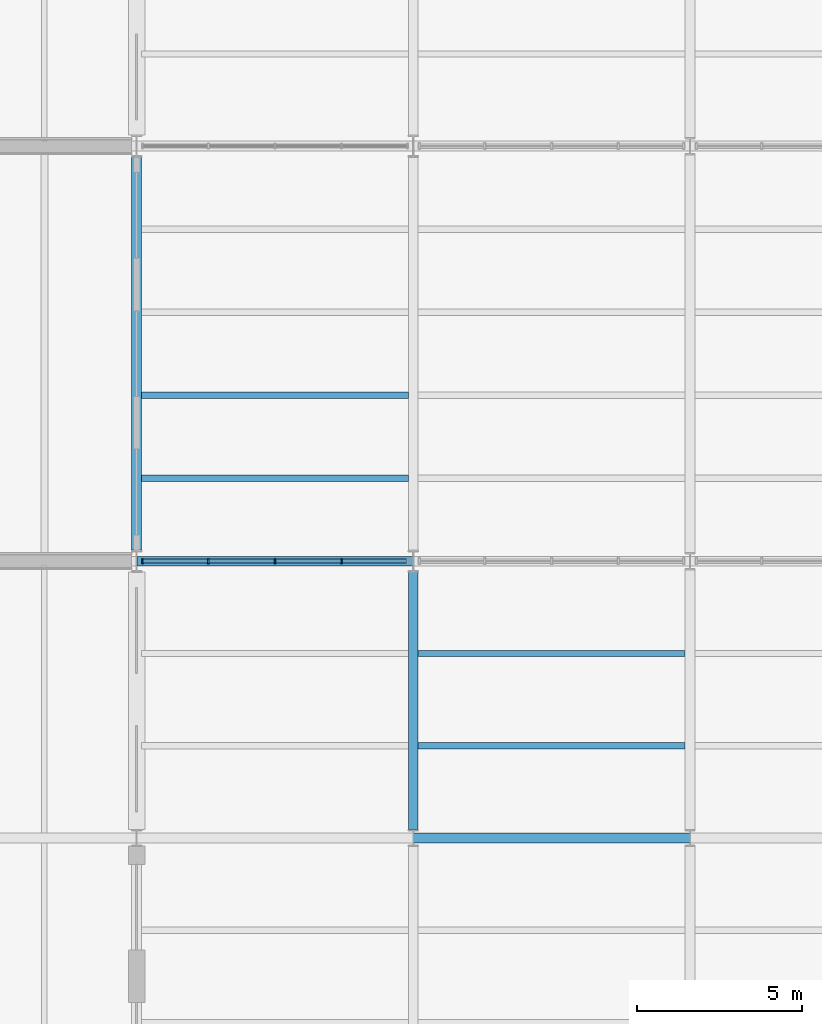
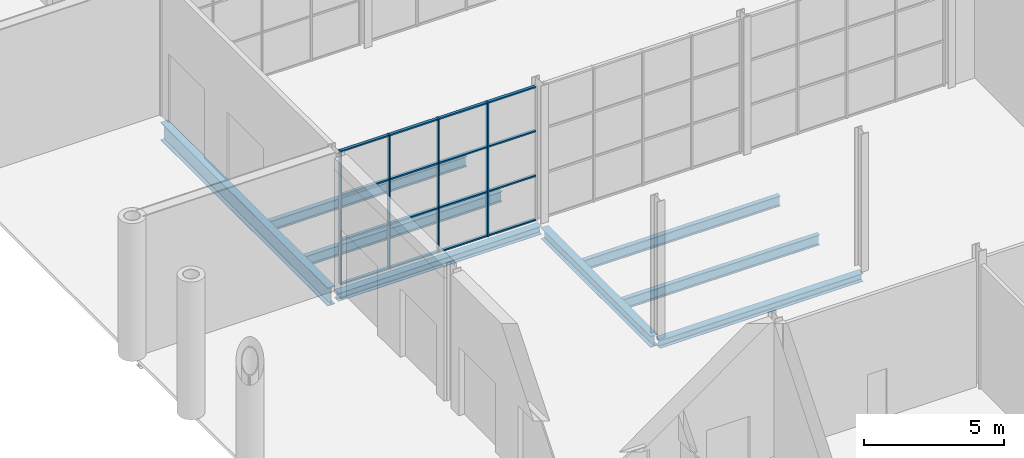
# One storey, part 10 of 55: 20 members, 8 beams, 1 element without a shape of its own.
"""IFC4 building model written with IfcOpenShell, lengths in metres."""

from ifc_helpers import new_model, si_unit, direction, frame, origin, origin_2d, place, context, subcontext, project, spatial, rectangle, i_section, extrude, material, layer, layer_set, material_profile, profile_set, type_object, element, aggregate, save


model = new_model("IFC4")

# Units and contexts
model_context = context("Model", 3, precision=1e-05, world=origin(), true_north=direction((0.0, 1.0)))
body_context = subcontext(model_context, "Body", "Model", "MODEL_VIEW")
ifc_project = project(units=[si_unit("LENGTHUNIT", "METRE"), si_unit("AREAUNIT", "SQUARE_METRE"), si_unit("VOLUMEUNIT", "CUBIC_METRE"), si_unit("PLANEANGLEUNIT", "RADIAN"), si_unit("MASSUNIT", "GRAM", prefix="KILO")], contexts=[model_context])

# Site, building, storey
site_placement = place(None, origin())
site = spatial("IfcSite", under=ifc_project, at=site_placement, CompositionType="ELEMENT")
building_placement = place(site_placement, origin())
building = spatial("IfcBuilding", under=site, at=building_placement, Name="Galleria Vessillo Department Store", CompositionType="ELEMENT")
storey_placement = place(building_placement, origin())
storey = spatial("IfcBuildingStorey", under=building, at=storey_placement, Name="L00", CompositionType="ELEMENT", Elevation=0.0)

# Curtain wall, members
ifc_material_1 = material(Name="Aluminium and glass curtain wall", Category="aluminium")
ifc_layer = layer(ifc_material_1, 0.159912109375)
ifc_layer_set = layer_set([ifc_layer], Name="Aluminium and glass curtain wall")
curtain_wall_type = type_object("IfcCurtainWallType", Name="Arcade portal glazing CW2 2100 module", PredefinedType="NOTDEFINED", material=ifc_layer_set)
curtain_wall_placement = place(storey_placement, origin())
curtain_wall = element("IfcCurtainWall", 1, at=curtain_wall_placement, inside=storey, type_object=curtain_wall_type, Name="Arcade portal glazing CW2 2100 module PW-W-S-L00-01", PredefinedType="NOTDEFINED")
ifc_material_2 = material(Name="Aluminium alloy 6063 T6", Category="aluminium")
ifc_material_profile_1 = material_profile(ifc_material_2, rectangle(XDim=0.159912109375, YDim=0.050048828125, at=origin_2d()), Name="AL 50x160")
ifc_profile_set_1 = profile_set([ifc_material_profile_1], Name="Aluminium alloy 6063 T6")
member_type_1 = type_object("IfcMemberType", Name="Aluminium mullion 50 x 160", PredefinedType="MULLION", material=ifc_profile_set_1)
member_1_placement = place(storey_placement, frame((8.577392578125, 25.199951171875, 0.0), z_axis=(0.0, 0.0, 1.0), x_axis=(0.0, 1.0, 0.0)))
member_1 = element("IfcMember", 2, at=member_1_placement, type_object=member_type_1, Name="CW2 mullion 1", PredefinedType="MULLION", context=body_context, shape_type="SweptSolid", body=[
    extrude(rectangle(XDim=0.159912109375, YDim=0.050048828125, at=origin_2d()), origin(), (0.0, 0.0, 1.0), 5.85009765625),
])
member_2_placement = place(storey_placement, frame((10.576171875, 25.199951171875, 0.0), z_axis=(0.0, 0.0, 1.0), x_axis=(0.0, 1.0, 0.0)))
member_2 = element("IfcMember", 3, at=member_2_placement, type_object=member_type_1, Name="CW2 mullion 2", PredefinedType="MULLION", context=body_context, shape_type="SweptSolid", body=[
    extrude(rectangle(XDim=0.159912109375, YDim=0.050048828125, at=origin_2d()), origin(), (0.0, 0.0, 1.0), 5.85009765625),
])
member_3_placement = place(storey_placement, frame((12.60009765625, 25.199951171875, 0.0), z_axis=(0.0, 0.0, 1.0), x_axis=(0.0, 1.0, 0.0)))
member_3 = element("IfcMember", 4, at=member_3_placement, type_object=member_type_1, Name="CW2 mullion 3", PredefinedType="MULLION", context=body_context, shape_type="SweptSolid", body=[
    extrude(rectangle(XDim=0.159912109375, YDim=0.050048828125, at=origin_2d()), origin(), (0.0, 0.0, 1.0), 5.85009765625),
])
member_4_placement = place(storey_placement, frame((14.623779296875, 25.199951171875, 0.0), z_axis=(0.0, 0.0, 1.0), x_axis=(0.0, 1.0, 0.0)))
member_4 = element("IfcMember", 5, at=member_4_placement, type_object=member_type_1, Name="CW2 mullion 4", PredefinedType="MULLION", context=body_context, shape_type="SweptSolid", body=[
    extrude(rectangle(XDim=0.159912109375, YDim=0.050048828125, at=origin_2d()), origin(), (0.0, 0.0, 1.0), 5.85009765625),
])
ifc_material_3 = material(Name="Aluminium alloy 6063 T6", Category="aluminium")
ifc_material_profile_2 = material_profile(ifc_material_3, rectangle(XDim=0.1201171875, YDim=0.06005859375, at=origin_2d()), Name="AL 60x120")
ifc_profile_set_2 = profile_set([ifc_material_profile_2], Name="Aluminium alloy 6063 T6")
member_type_2 = type_object("IfcMemberType", Name="Aluminium transom 60 x 120", PredefinedType="USERDEFINED", material=ifc_profile_set_2)
member_5_placement = place(storey_placement, frame((8.6025390625, 25.199951171875, 0.030029296875), z_axis=(1.0, 0.0, 0.0), x_axis=(0.0, 1.0, 0.0)))
member_5 = element("IfcMember", 6, at=member_5_placement, type_object=member_type_2, Name="CW2 transom 1.1", ObjectType="TRANSOM", PredefinedType="USERDEFINED", context=body_context, shape_type="SweptSolid", body=[
    extrude(rectangle(XDim=0.1201171875, YDim=0.06005859375, at=origin_2d()), origin(), (0.0, 0.0, 1.0), 1.94873046875),
])
member_6_placement = place(storey_placement, frame((8.6025390625, 25.199951171875, 1.949951171875), z_axis=(1.0, 0.0, 0.0), x_axis=(0.0, 1.0, 0.0)))
member_6 = element("IfcMember", 7, at=member_6_placement, type_object=member_type_2, Name="CW2 transom 1.2", ObjectType="TRANSOM", PredefinedType="USERDEFINED", context=body_context, shape_type="SweptSolid", body=[
    extrude(rectangle(XDim=0.1201171875, YDim=0.06005859375, at=origin_2d()), origin(), (0.0, 0.0, 1.0), 1.94873046875),
])
member_7_placement = place(storey_placement, frame((8.6025390625, 25.199951171875, 3.900146484375), z_axis=(1.0, 0.0, 0.0), x_axis=(0.0, 1.0, 0.0)))
member_7 = element("IfcMember", 8, at=member_7_placement, type_object=member_type_2, Name="CW2 transom 1.3", ObjectType="TRANSOM", PredefinedType="USERDEFINED", context=body_context, shape_type="SweptSolid", body=[
    extrude(rectangle(XDim=0.1201171875, YDim=0.06005859375, at=origin_2d()), origin(), (0.0, 0.0, 1.0), 1.94873046875),
])
member_8_placement = place(storey_placement, frame((8.6025390625, 25.199951171875, 5.820068359375), z_axis=(1.0, 0.0, 0.0), x_axis=(0.0, 1.0, 0.0)))
member_8 = element("IfcMember", 9, at=member_8_placement, type_object=member_type_2, Name="CW2 transom 1.4", ObjectType="TRANSOM", PredefinedType="USERDEFINED", context=body_context, shape_type="SweptSolid", body=[
    extrude(rectangle(XDim=0.1201171875, YDim=0.06005859375, at=origin_2d()), origin(), (0.0, 0.0, 1.0), 1.94873046875),
])
member_9_placement = place(storey_placement, frame((10.601318359375, 25.199951171875, 0.030029296875), z_axis=(1.0, 0.0, 0.0), x_axis=(0.0, 1.0, 0.0)))
member_9 = element("IfcMember", 10, at=member_9_placement, type_object=member_type_2, Name="CW2 transom 2.1", ObjectType="TRANSOM", PredefinedType="USERDEFINED", context=body_context, shape_type="SweptSolid", body=[
    extrude(rectangle(XDim=0.1201171875, YDim=0.06005859375, at=origin_2d()), origin(), (0.0, 0.0, 1.0), 1.9736328125),
])
member_10_placement = place(storey_placement, frame((10.601318359375, 25.199951171875, 1.949951171875), z_axis=(1.0, 0.0, 0.0), x_axis=(0.0, 1.0, 0.0)))
member_10 = element("IfcMember", 11, at=member_10_placement, type_object=member_type_2, Name="CW2 transom 2.2", ObjectType="TRANSOM", PredefinedType="USERDEFINED", context=body_context, shape_type="SweptSolid", body=[
    extrude(rectangle(XDim=0.1201171875, YDim=0.06005859375, at=origin_2d()), origin(), (0.0, 0.0, 1.0), 1.9736328125),
])
member_11_placement = place(storey_placement, frame((10.601318359375, 25.199951171875, 3.900146484375), z_axis=(1.0, 0.0, 0.0), x_axis=(0.0, 1.0, 0.0)))
member_11 = element("IfcMember", 12, at=member_11_placement, type_object=member_type_2, Name="CW2 transom 2.3", ObjectType="TRANSOM", PredefinedType="USERDEFINED", context=body_context, shape_type="SweptSolid", body=[
    extrude(rectangle(XDim=0.1201171875, YDim=0.06005859375, at=origin_2d()), origin(), (0.0, 0.0, 1.0), 1.9736328125),
])
member_12_placement = place(storey_placement, frame((10.601318359375, 25.199951171875, 5.820068359375), z_axis=(1.0, 0.0, 0.0), x_axis=(0.0, 1.0, 0.0)))
member_12 = element("IfcMember", 13, at=member_12_placement, type_object=member_type_2, Name="CW2 transom 2.4", ObjectType="TRANSOM", PredefinedType="USERDEFINED", context=body_context, shape_type="SweptSolid", body=[
    extrude(rectangle(XDim=0.1201171875, YDim=0.06005859375, at=origin_2d()), origin(), (0.0, 0.0, 1.0), 1.9736328125),
])
member_13_placement = place(storey_placement, frame((12.625, 25.199951171875, 0.030029296875), z_axis=(1.0, 0.0, 0.0), x_axis=(0.0, 1.0, 0.0)))
member_13 = element("IfcMember", 14, at=member_13_placement, type_object=member_type_2, Name="CW2 transom 3.1", ObjectType="TRANSOM", PredefinedType="USERDEFINED", context=body_context, shape_type="SweptSolid", body=[
    extrude(rectangle(XDim=0.1201171875, YDim=0.06005859375, at=origin_2d()), origin(), (0.0, 0.0, 1.0), 1.9736328125),
])
member_14_placement = place(storey_placement, frame((12.625, 25.199951171875, 1.949951171875), z_axis=(1.0, 0.0, 0.0), x_axis=(0.0, 1.0, 0.0)))
member_14 = element("IfcMember", 15, at=member_14_placement, type_object=member_type_2, Name="CW2 transom 3.2", ObjectType="TRANSOM", PredefinedType="USERDEFINED", context=body_context, shape_type="SweptSolid", body=[
    extrude(rectangle(XDim=0.1201171875, YDim=0.06005859375, at=origin_2d()), origin(), (0.0, 0.0, 1.0), 1.9736328125),
])
member_15_placement = place(storey_placement, frame((12.625, 25.199951171875, 3.900146484375), z_axis=(1.0, 0.0, 0.0), x_axis=(0.0, 1.0, 0.0)))
member_15 = element("IfcMember", 16, at=member_15_placement, type_object=member_type_2, Name="CW2 transom 3.3", ObjectType="TRANSOM", PredefinedType="USERDEFINED", context=body_context, shape_type="SweptSolid", body=[
    extrude(rectangle(XDim=0.1201171875, YDim=0.06005859375, at=origin_2d()), origin(), (0.0, 0.0, 1.0), 1.9736328125),
])
member_16_placement = place(storey_placement, frame((12.625, 25.199951171875, 5.820068359375), z_axis=(1.0, 0.0, 0.0), x_axis=(0.0, 1.0, 0.0)))
member_16 = element("IfcMember", 17, at=member_16_placement, type_object=member_type_2, Name="CW2 transom 3.4", ObjectType="TRANSOM", PredefinedType="USERDEFINED", context=body_context, shape_type="SweptSolid", body=[
    extrude(rectangle(XDim=0.1201171875, YDim=0.06005859375, at=origin_2d()), origin(), (0.0, 0.0, 1.0), 1.9736328125),
])
member_17_placement = place(storey_placement, frame((14.648681640625, 25.199951171875, 0.030029296875), z_axis=(1.0, 0.0, 0.0), x_axis=(0.0, 1.0, 0.0)))
member_17 = element("IfcMember", 18, at=member_17_placement, type_object=member_type_2, Name="CW2 transom 4.1", ObjectType="TRANSOM", PredefinedType="USERDEFINED", context=body_context, shape_type="SweptSolid", body=[
    extrude(rectangle(XDim=0.1201171875, YDim=0.06005859375, at=origin_2d()), origin(), (0.0, 0.0, 1.0), 1.94873046875),
])
member_18_placement = place(storey_placement, frame((14.648681640625, 25.199951171875, 1.949951171875), z_axis=(1.0, 0.0, 0.0), x_axis=(0.0, 1.0, 0.0)))
member_18 = element("IfcMember", 19, at=member_18_placement, type_object=member_type_2, Name="CW2 transom 4.2", ObjectType="TRANSOM", PredefinedType="USERDEFINED", context=body_context, shape_type="SweptSolid", body=[
    extrude(rectangle(XDim=0.1201171875, YDim=0.06005859375, at=origin_2d()), origin(), (0.0, 0.0, 1.0), 1.94873046875),
])
member_19_placement = place(storey_placement, frame((14.648681640625, 25.199951171875, 3.900146484375), z_axis=(1.0, 0.0, 0.0), x_axis=(0.0, 1.0, 0.0)))
member_19 = element("IfcMember", 20, at=member_19_placement, type_object=member_type_2, Name="CW2 transom 4.3", ObjectType="TRANSOM", PredefinedType="USERDEFINED", context=body_context, shape_type="SweptSolid", body=[
    extrude(rectangle(XDim=0.1201171875, YDim=0.06005859375, at=origin_2d()), origin(), (0.0, 0.0, 1.0), 1.94873046875),
])
member_20_placement = place(storey_placement, frame((14.648681640625, 25.199951171875, 5.820068359375), z_axis=(1.0, 0.0, 0.0), x_axis=(0.0, 1.0, 0.0)))
member_20 = element("IfcMember", 21, at=member_20_placement, type_object=member_type_2, Name="CW2 transom 4.4", ObjectType="TRANSOM", PredefinedType="USERDEFINED", context=body_context, shape_type="SweptSolid", body=[
    extrude(rectangle(XDim=0.1201171875, YDim=0.06005859375, at=origin_2d()), origin(), (0.0, 0.0, 1.0), 1.94873046875),
])
aggregate(curtain_wall, [member_1, member_2, member_3, member_4, member_5, member_6, member_7, member_8, member_9, member_10, member_11, member_12, member_13, member_14, member_15, member_16, member_17, member_18, member_19, member_20])

# Beams
ifc_material_4 = material(Name="Steel S355 J2", Category="steel")
ifc_material_profile_3 = material_profile(ifc_material_4, i_section(OverallWidth=0.300048828125, OverallDepth=0.489990234375, WebThickness=0.011962890625, FlangeThickness=0.02294921875, FilletRadius=0.027099609375, at=origin_2d()), Name="HEA 500")
ifc_profile_set_3 = profile_set([ifc_material_profile_3], Name="Steel S355 J2")
beam_type_1 = type_object("IfcBeamType", Name="Floor girder HEA 500", PredefinedType="BEAM", material=ifc_profile_set_3)
beam_1_placement = place(storey_placement, frame((16.800048828125, 17.050048828125, -0.39501953125), z_axis=(0.0, 1.0, 0.0), x_axis=(-1.0, 0.0, 0.0)))
element("IfcBeam", 22, at=beam_1_placement, inside=storey, type_object=beam_type_1, Name="S-BM-L00-GI-y16800-17050", PredefinedType="BEAM", context=body_context, shape_type="SweptSolid", body=[
    extrude(i_section(OverallWidth=0.300048828125, OverallDepth=0.489990234375, WebThickness=0.011962890625, FlangeThickness=0.02294921875, FilletRadius=0.027099609375, at=origin_2d()), origin(), (0.0, 0.0, 1.0), 7.81591796875),
])
ifc_material_5 = material(Name="Steel S355 J2", Category="steel")
ifc_material_profile_4 = material_profile(ifc_material_5, i_section(OverallWidth=0.300048828125, OverallDepth=0.7900390625, WebThickness=0.014892578125, FlangeThickness=0.028076171875, FilletRadius=0.030029296875, at=origin_2d()), Name="HEA 800")
ifc_profile_set_4 = profile_set([ifc_material_profile_4], Name="Steel S355 J2")
beam_type_2 = type_object("IfcBeamType", Name="Floor girder HEA 800", PredefinedType="BEAM", material=ifc_profile_set_4)
beam_2_placement = place(storey_placement, frame((8.39990234375, 25.5341796875, -0.64501953125), z_axis=(0.0, 1.0, 0.0), x_axis=(-1.0, 0.0, 0.0)))
element("IfcBeam", 23, at=beam_2_placement, inside=storey, type_object=beam_type_2, Name="S-BM-L00-GI-y8400-25534", PredefinedType="BEAM", context=body_context, shape_type="SweptSolid", body=[
    extrude(i_section(OverallWidth=0.300048828125, OverallDepth=0.7900390625, WebThickness=0.014892578125, FlangeThickness=0.028076171875, FilletRadius=0.030029296875, at=origin_2d()), origin(), (0.0, 0.0, 1.0), 11.931640625),
])
ifc_material_6 = material(Name="Steel S355 J2", Category="steel")
ifc_material_profile_5 = material_profile(ifc_material_6, i_section(OverallWidth=0.18994140625, OverallDepth=0.449951171875, WebThickness=0.009521484375, FlangeThickness=0.0146484375, FilletRadius=0.02099609375, at=origin_2d()), Name="IPE 450")
ifc_profile_set_5 = profile_set([ifc_material_profile_5], Name="Steel S355 J2")
beam_type_3 = type_object("IfcBeamType", Name="Floor joist IPE 450", PredefinedType="JOIST", material=ifc_profile_set_5)
for number, where, z_axis, x_axis, name in (
    (24, (8.550048828125, 27.719970703125, -0.47509765625), (1.0, 0.0, 0.0), (0.0, 1.0, 0.0), "S-BM-L00-JO-x27720-8550"),
    (25, (8.550048828125, 30.239990234375, -0.47509765625), (1.0, 0.0, 0.0), (0.0, 1.0, 0.0), "S-BM-L00-JO-x30240-8550"),
):
    element("IfcBeam", number, at=place(storey_placement, frame(where, z_axis=z_axis, x_axis=x_axis)), inside=storey, type_object=beam_type_3, Name=name, PredefinedType="JOIST", context=body_context, shape_type="SweptSolid", body=[
        extrude(i_section(OverallWidth=0.18994140625, OverallDepth=0.449951171875, WebThickness=0.009521484375, FlangeThickness=0.0146484375, FilletRadius=0.02099609375, at=origin_2d()), origin(), (0.0, 0.0, 1.0), 8.099853515625),
    ])
for number, where, z_axis, x_axis, name in (
    (26, (16.9501953125, 19.60009765625, -0.375), (1.0, 0.0, 0.0), (0.0, 1.0, 0.0), "S-BM-L00-JO-x19600-16950"),
    (27, (16.9501953125, 22.39990234375, -0.375), (1.0, 0.0, 0.0), (0.0, 1.0, 0.0), "S-BM-L00-JO-x22400-16950"),
):
    element("IfcBeam", number, at=place(storey_placement, frame(where, z_axis=z_axis, x_axis=x_axis)), inside=storey, type_object=beam_type_3, Name=name, PredefinedType="JOIST", context=body_context, shape_type="SweptSolid", body=[
        extrude(i_section(OverallWidth=0.18994140625, OverallDepth=0.449951171875, WebThickness=0.009521484375, FlangeThickness=0.0146484375, FilletRadius=0.02099609375, at=origin_2d()), origin(), (0.0, 0.0, 1.0), 8.099609375),
    ])
ifc_material_7 = material(Name="Steel S355 J2", Category="steel")
ifc_material_profile_6 = material_profile(ifc_material_7, i_section(OverallWidth=0.300048828125, OverallDepth=0.35009765625, WebThickness=0.010009765625, FlangeThickness=0.017578125, FilletRadius=0.027099609375, at=origin_2d()), Name="HEA 360")
ifc_profile_set_6 = profile_set([ifc_material_profile_6], Name="Steel S355 J2")
beam_type_4 = type_object("IfcBeamType", Name="Floor tie girder HEA 360", PredefinedType="BEAM", material=ifc_profile_set_6)
beam_3_placement = place(storey_placement, frame((16.807373046875, 16.800048828125, -0.324951171875), z_axis=(1.0, 0.0, 0.0), x_axis=(0.0, 1.0, 0.0)))
element("IfcBeam", 28, at=beam_3_placement, inside=storey, type_object=beam_type_4, Name="S-BM-L00-TI-x16800-16807", PredefinedType="BEAM", context=body_context, shape_type="SweptSolid", body=[
    extrude(i_section(OverallWidth=0.300048828125, OverallDepth=0.35009765625, WebThickness=0.010009765625, FlangeThickness=0.017578125, FilletRadius=0.027099609375, at=origin_2d()), origin(), (0.0, 0.0, 1.0), 8.38525390625),
])
beam_4_placement = place(storey_placement, frame((8.41064453125, 25.199951171875, -0.425048828125), z_axis=(1.0, 0.0, 0.0), x_axis=(0.0, 1.0, 0.0)))
element("IfcBeam", 29, at=beam_4_placement, inside=storey, type_object=beam_type_4, Name="S-BM-L00-TI-x25200-8411", PredefinedType="BEAM", context=body_context, shape_type="SweptSolid", body=[
    extrude(i_section(OverallWidth=0.300048828125, OverallDepth=0.35009765625, WebThickness=0.010009765625, FlangeThickness=0.017578125, FilletRadius=0.027099609375, at=origin_2d()), origin(), (0.0, 0.0, 1.0), 8.378662109375),
])

save(model, "model.ifc")
